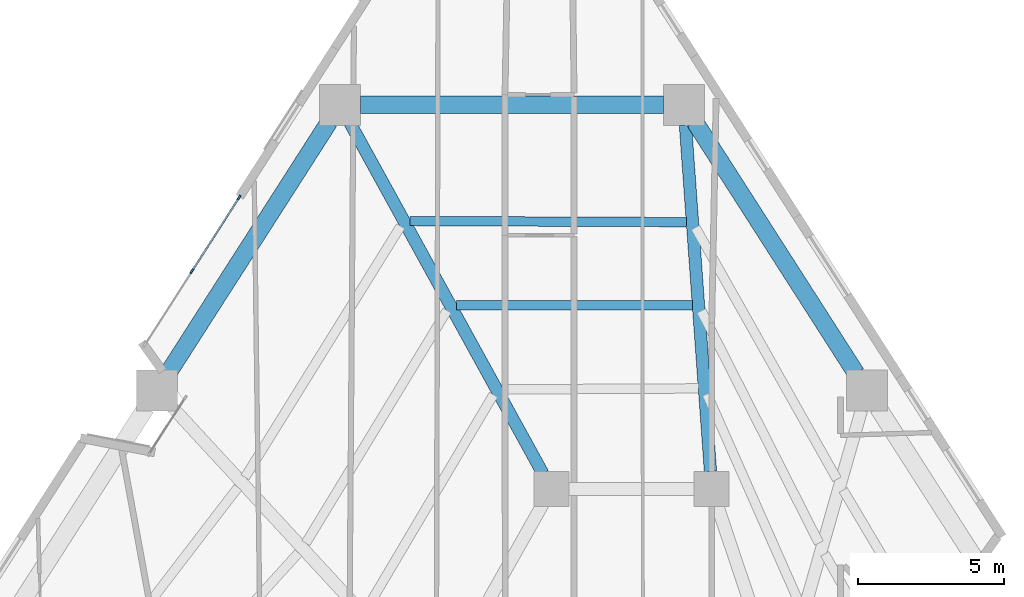
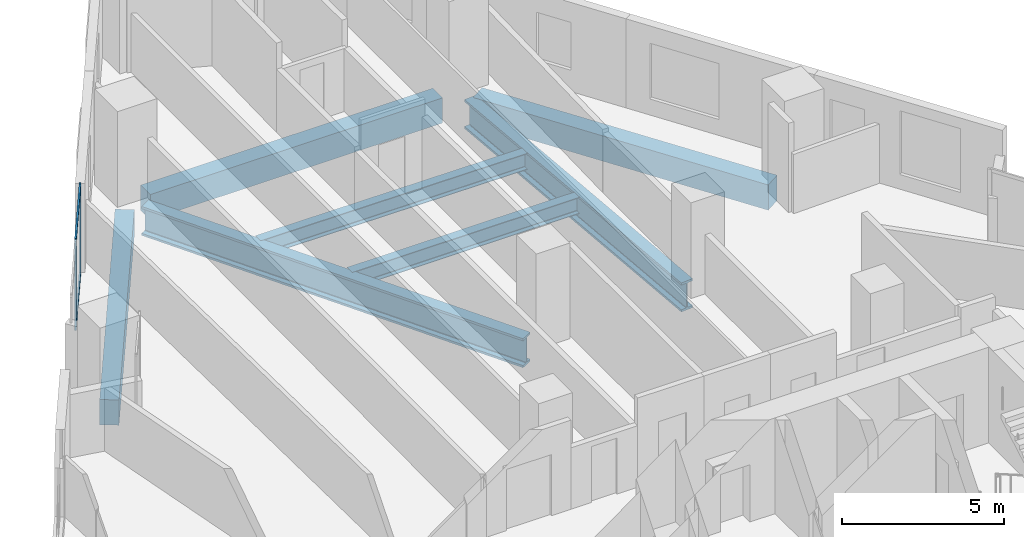
# One storey, part 6 of 14: 7 beams, 4 members, 1 element without a shape of its own.
"""IFC4 building model written with IfcOpenShell, lengths in metres."""

import ifcopenshell
import ifcopenshell.guid

model = None  # the IFC model being written
_history = None  # IfcOwnerHistory: only IFC2X3 demands one
_inside = {}  # id of a spatial element -> (the spatial element, [elements in it])
_under = {}  # id of a project, library or spatial element -> (it, [spatial elements below it])
_declared = {}  # id of a project -> (the project, [libraries it declares])
_typed = {}  # id of a type object -> (the type object, [elements of that type])
_made_of = {}  # id of a material, layer set ... -> (it, [elements and type objects made of it])


def new_model(schema):
    """Start an empty IFC model of exactly this schema.

    Asked for "IFC4X3", IfcOpenShell would pick the latest addendum, in which some entities
    have other attributes; the version numbers below select the first issue.
    IFC2X3 requires an IfcOwnerHistory on every rooted entity: one is made here for all.
    """
    global model, _history
    if schema == "IFC4X3":
        model = ifcopenshell.file(schema_version=(4, 3, 0, 0))
    else:
        model = ifcopenshell.file(schema=schema)
    _inside.clear()
    _under.clear()
    _declared.clear()
    _typed.clear()
    _made_of.clear()
    _history = None
    if model.schema == "IFC2X3":
        org = make("IfcOrganization", Name="unknown")
        user = make(
            "IfcPersonAndOrganization",
            ThePerson=make("IfcPerson", FamilyName="unknown"),
            TheOrganization=org,
        )
        app = make(
            "IfcApplication",
            ApplicationDeveloper=org,
            Version="unknown",
            ApplicationFullName="unknown",
            ApplicationIdentifier="unknown",
        )
        _history = make(
            "IfcOwnerHistory",
            OwningUser=user,
            OwningApplication=app,
            ChangeAction="ADDED",
            CreationDate=0,
        )
    return model


def make(cls, **values):
    """One entity of the class cls with the attributes given. An attribute that is None is left unset."""
    return model.create_entity(
        cls, **{name: value for name, value in values.items() if value is not None}
    )


def rooted(cls, **values):
    """An entity with a GlobalId (a new one), such as an element, a storey or a relation."""
    return make(cls, GlobalId=ifcopenshell.guid.new(), OwnerHistory=_history, **values)


def si_unit(unit_type, name, prefix=None):
    """IfcSIUnit, for example si_unit("LENGTHUNIT", "METRE", prefix="MILLI")."""
    return make("IfcSIUnit", UnitType=unit_type, Prefix=prefix, Name=name)


def assignment(units):
    """IfcUnitAssignment: the units of a project."""
    return None if units is None else make("IfcUnitAssignment", Units=units)


def point(xyz):
    """IfcCartesianPoint."""
    return None if xyz is None else make("IfcCartesianPoint", Coordinates=xyz)


def direction(xyz):
    """IfcDirection."""
    return None if xyz is None else make("IfcDirection", DirectionRatios=xyz)


def frame(location, z_axis=None, x_axis=None):
    """IfcAxis2Placement3D, a coordinate frame: its origin and axes. An axis left out is left unset."""
    return make(
        "IfcAxis2Placement3D",
        Location=point(location),
        Axis=direction(z_axis),
        RefDirection=direction(x_axis),
    )


def frame_2d(location, x_axis=None):
    """IfcAxis2Placement2D, a coordinate frame in the plane: its origin and x axis."""
    return make(
        "IfcAxis2Placement2D", Location=point(location), RefDirection=direction(x_axis)
    )


def origin():
    """The frame at (0, 0, 0) with its axes left unset."""
    return frame((0.0, 0.0, 0.0))


def origin_2d():
    """The frame at (0, 0) in the plane with its x axis left unset."""
    return frame_2d((0.0, 0.0))


def place(relative_to, where):
    """IfcLocalPlacement: puts the frame where relative to a parent placement (None: the world)."""
    return make(
        "IfcLocalPlacement", PlacementRelTo=relative_to, RelativePlacement=where
    )


def context(
    kind, dimensions, precision=None, world=None, true_north=None, identifier=None
):
    """IfcGeometricRepresentationContext, for example the 3D "Model" context."""
    return make(
        "IfcGeometricRepresentationContext",
        ContextIdentifier=identifier,
        ContextType=kind,
        CoordinateSpaceDimension=dimensions,
        Precision=precision,
        WorldCoordinateSystem=world,
        TrueNorth=true_north,
    )


def subcontext(parent, identifier, kind, view, scale=None):
    """IfcGeometricRepresentationSubContext, for example "Body" below "Model"."""
    return make(
        "IfcGeometricRepresentationSubContext",
        ContextIdentifier=identifier,
        ContextType=kind,
        ParentContext=parent,
        TargetScale=scale,
        TargetView=view,
    )


def project(units=None, contexts=None):
    """IfcProject with its units and contexts."""
    return rooted(
        "IfcProject",
        Name="project",
        RepresentationContexts=contexts,
        UnitsInContext=assignment(units),
    )


def spatial(cls, under=None, at=None, **own):
    """A site, building, storey or space (cls), placed at a placement, below another one or the project."""
    s = rooted(cls, ObjectPlacement=at, **own)
    if under is not None:
        _under.setdefault(under.id(), (under, []))[1].append(s)
    return s


def profile(cls, at=None, kind="AREA", **sizes):
    """A parametric profile (cls). Its sizes go by their IFC names, for example OverallWidth=200.0."""
    return make(cls, ProfileType=kind, Position=at, **sizes)


def rectangle(**sizes):
    """IfcRectangleProfileDef."""
    return profile("IfcRectangleProfileDef", **sizes)


def i_section(**sizes):
    """IfcIShapeProfileDef."""
    return profile("IfcIShapeProfileDef", **sizes)


def extrude(swept, where, along, depth):
    """IfcExtrudedAreaSolid: the profile swept, set in the frame where, extruded along a direction by depth."""
    return make(
        "IfcExtrudedAreaSolid",
        SweptArea=swept,
        Position=where,
        ExtrudedDirection=direction(along),
        Depth=depth,
    )


def shape(context_of_items, identifier, shape_type, items):
    """IfcShapeRepresentation: the items that make up one representation, for example the "Body"."""
    return make(
        "IfcShapeRepresentation",
        ContextOfItems=context_of_items,
        RepresentationIdentifier=identifier,
        RepresentationType=shape_type,
        Items=items,
    )


def material(Name=None, Category=None):
    """IfcMaterial."""
    return make("IfcMaterial", Name=Name, Category=Category)


def layer(
    of_material, thickness, ventilated=None, Name=None, Category=None, Priority=None
):
    """IfcMaterialLayer: one layer of a wall or slab, of a material (None: an air gap)."""
    return make(
        "IfcMaterialLayer",
        Material=of_material,
        LayerThickness=thickness,
        IsVentilated=ventilated,
        Name=Name,
        Category=Category,
        Priority=Priority,
    )


def layer_set(layers, Name=None):
    """IfcMaterialLayerSet."""
    return make("IfcMaterialLayerSet", MaterialLayers=layers, LayerSetName=Name)


def material_profile(
    of_material, cross_section, Name=None, Category=None, Priority=None
):
    """IfcMaterialProfile: a cross section and its material."""
    return make(
        "IfcMaterialProfile",
        Name=Name,
        Material=of_material,
        Profile=cross_section,
        Priority=Priority,
        Category=Category,
    )


def profile_set(profiles, Name=None, composite=None):
    """IfcMaterialProfileSet."""
    return make(
        "IfcMaterialProfileSet",
        Name=Name,
        MaterialProfiles=profiles,
        CompositeProfile=composite,
    )


def made_of(thing, what):
    """Note that an element or type object is made of a material, layer set ...; save() writes the relation."""
    if what is not None:
        _made_of.setdefault(what.id(), (what, []))[1].append(thing)
    return thing


def type_object(cls, material=None, **own):
    """A type object (cls), such as IfcWallType, which elements share."""
    return made_of(rooted(cls, **own), material)


def element(
    cls,
    number,
    at=None,
    inside=None,
    cuts=None,
    type_object=None,
    material=None,
    context=None,
    identifier="Body",
    shape_type=None,
    held_by="IfcProductDefinitionShape",
    body=None,
    shapes=None,
    **own,
):
    """One element of the class cls, such as IfcWall. Its Tag is "e" and its number.

    at: its placement. inside: the storey or other place that contains it. cuts: it is an
    opening in that element (IfcRelVoidsElement). A single representation is given by context,
    identifier, shape_type and body (its items); several are given by shapes. held_by: the class
    of the entity that holds the representations. save() writes the other relations.
    """
    e = rooted(cls, Tag="e%d" % number, ObjectPlacement=at, **own)
    if body is not None:
        shapes = [shape(context, identifier, shape_type, body)]
    if shapes is not None:
        e.Representation = make(held_by, Representations=shapes)
    if inside is not None:
        _inside.setdefault(inside.id(), (inside, []))[1].append(e)
    if cuts is not None:
        rooted(
            "IfcRelVoidsElement", RelatingBuildingElement=cuts, RelatedOpeningElement=e
        )
    if type_object is not None:
        _typed.setdefault(type_object.id(), (type_object, []))[1].append(e)
    return made_of(e, material)


def aggregate(whole, parts):
    """IfcRelAggregates: a whole, such as a stair, and the parts it consists of."""
    return rooted("IfcRelAggregates", RelatingObject=whole, RelatedObjects=parts)


def save(model, path):
    """Write the relations noted so far, then the file.

    IfcRelAggregates (storeys below a building ...), IfcRelContainedInSpatialStructure (elements
    in a storey), IfcRelDefinesByType, IfcRelAssociatesMaterial and IfcRelDeclares: one each for
    every whole, place, type object, material and project.
    """
    for whole, parts in _under.values():
        aggregate(whole, parts)
    for where, things in _inside.values():
        rooted(
            "IfcRelContainedInSpatialStructure",
            RelatedElements=things,
            RelatingStructure=where,
        )
    for kind, things in _typed.values():
        rooted("IfcRelDefinesByType", RelatedObjects=things, RelatingType=kind)
    for what, things in _made_of.values():
        rooted("IfcRelAssociatesMaterial", RelatedObjects=things, RelatingMaterial=what)
    for by, libraries in _declared.values():
        rooted("IfcRelDeclares", RelatingContext=by, RelatedDefinitions=libraries)
    model.write(path)


model = new_model("IFC4")

# Units and contexts
model_context = context("Model", 3, precision=1e-05, world=origin(), true_north=direction((0.0, 1.0)))
body_context = subcontext(model_context, "Body", "Model", "MODEL_VIEW")
ifc_project = project(units=[si_unit("LENGTHUNIT", "METRE"), si_unit("AREAUNIT", "SQUARE_METRE"), si_unit("VOLUMEUNIT", "CUBIC_METRE"), si_unit("PLANEANGLEUNIT", "RADIAN"), si_unit("MASSUNIT", "GRAM", prefix="KILO")], contexts=[model_context])

# Site, building, storey
site_placement = place(None, origin())
site = spatial("IfcSite", under=ifc_project, at=site_placement, CompositionType="ELEMENT")
building_placement = place(site_placement, origin())
building = spatial("IfcBuilding", under=site, at=building_placement, Name="Almagre Mirador Tower", CompositionType="ELEMENT")
storey_placement = place(building_placement, frame((0.0, 0.0, 35.39990234375)))
storey = spatial("IfcBuildingStorey", under=building, at=storey_placement, Name="L07", CompositionType="ELEMENT", Elevation=35.39990234375)

# Beams
ifc_material_1 = material(Name="Steel ASTM A992 Grade 50", Category="steel")
ifc_material_profile_1 = material_profile(ifc_material_1, i_section(OverallWidth=0.323974609375, OverallDepth=0.611083984375, WebThickness=0.0126953125, FlangeThickness=0.01904296875, FilletRadius=0.02001953125, at=origin_2d()), Name="W24X104")
ifc_profile_set_1 = profile_set([ifc_material_profile_1], Name="Steel ASTM A992 Grade 50")
beam_type_1 = type_object("IfcBeamType", Name="BM-JST-W24X104", PredefinedType="JOIST", material=ifc_profile_set_1)
beam_1_placement = place(storey_placement, frame((41.976806640625, 35.350341796875, -0.555419921875), z_axis=(-0.999991495419, 0.00412420774, 0.0), x_axis=(-0.00412420774, -0.999991495419, 0.0)))
element("IfcBeam", 1, at=beam_1_placement, inside=storey, type_object=beam_type_1, Name="L07 secondary floor joist PC08-PC09.1", PredefinedType="JOIST", context=body_context, shape_type="SweptSolid", body=[
    extrude(i_section(OverallWidth=0.323974609375, OverallDepth=0.611083984375, WebThickness=0.0126953125, FlangeThickness=0.01904296875, FilletRadius=0.02001953125, at=origin_2d()), origin(), (0.0, 0.0, 1.0), 9.471435546875),
])
beam_2_placement = place(storey_placement, frame((42.182861328125, 32.4990234375, -0.555419921875), z_axis=(-0.999999934402, 0.000362209454, 0.0), x_axis=(-0.000362209454, -0.999999934402, 0.0)))
element("IfcBeam", 2, at=beam_2_placement, inside=storey, type_object=beam_type_1, Name="L07 secondary floor joist PC08-PC09.2", PredefinedType="JOIST", context=body_context, shape_type="SweptSolid", body=[
    extrude(i_section(OverallWidth=0.323974609375, OverallDepth=0.611083984375, WebThickness=0.0126953125, FlangeThickness=0.01904296875, FilletRadius=0.02001953125, at=origin_2d()), origin(), (0.0, 0.0, 1.0), 8.08837890625),
])
ifc_material_2 = material(Name="Precast concrete C50/60", Category="concrete")
ifc_material_profile_2 = material_profile(ifc_material_2, rectangle(XDim=0.60009765625, YDim=0.949951171875, at=origin_2d()), Name="RC600X950")
ifc_profile_set_2 = profile_set([ifc_material_profile_2], Name="Precast concrete C50/60")
beam_type_2 = type_object("IfcBeamType", Name="BM-SPN-RC600X950", PredefinedType="SPANDREL", material=ifc_profile_set_2)
beam_3_placement = place(storey_placement, frame((47.80029296875, 30.162353515625, -0.724853515625), z_axis=(-0.539538717329, 0.841960790359, 0.0), x_axis=(-0.841960790359, -0.539538717329, 0.0)))
element("IfcBeam", 3, at=beam_3_placement, inside=storey, type_object=beam_type_2, Name="L07 perimeter spandrel beam PC07-PC08", PredefinedType="SPANDREL", context=body_context, shape_type="SweptSolid", body=[
    extrude(rectangle(XDim=0.60009765625, YDim=0.949951171875, at=origin_2d()), origin(), (0.0, 0.0, 1.0), 10.239501953125),
])
beam_4_placement = place(storey_placement, frame((41.197998046875, 39.373046875, -0.724853515625), z_axis=(-1.0, 0.0, 0.0), x_axis=(0.0, -1.0, 0.0)))
element("IfcBeam", 4, at=beam_4_placement, inside=storey, type_object=beam_type_2, Name="L07 perimeter spandrel beam PC08-PC09", PredefinedType="SPANDREL", context=body_context, shape_type="SweptSolid", body=[
    extrude(rectangle(XDim=0.60009765625, YDim=0.949951171875, at=origin_2d()), origin(), (0.0, 0.0, 1.0), 10.39599609375),
])
beam_5_placement = place(storey_placement, frame((29.724365234375, 38.78369140625, -0.724853515625), z_axis=(-0.539538717329, -0.841960790359, 0.0), x_axis=(0.841960790359, -0.539538717329, 0.0)))
element("IfcBeam", 5, at=beam_5_placement, inside=storey, type_object=beam_type_2, Name="L07 perimeter spandrel beam PC09-PC10", PredefinedType="SPANDREL", context=body_context, shape_type="SweptSolid", body=[
    extrude(rectangle(XDim=0.60009765625, YDim=0.949951171875, at=origin_2d()), origin(), (0.0, 0.0, 1.0), 10.239501953125),
])
ifc_material_3 = material(Name="Steel ASTM A913 Grade 65", Category="steel")
ifc_material_profile_3 = material_profile(ifc_material_3, i_section(OverallWidth=0.424072265625, OverallDepth=1.092041015625, WebThickness=0.04541015625, FlangeThickness=0.08203125, FilletRadius=0.030029296875, at=origin_2d()), Name="W40X593")
ifc_profile_set_3 = profile_set([ifc_material_profile_3], Name="Steel ASTM A913 Grade 65")
beam_type_3 = type_object("IfcBeamType", Name="BM-STL-W40X593", PredefinedType="BEAM", material=ifc_profile_set_3)
beam_6_placement = place(storey_placement, frame((41.948486328125, 38.6748046875, -0.7958984375), z_axis=(0.072089216544, -0.997398187715, 0.0), x_axis=(0.997398187715, 0.072089216544, 0.0)))
element("IfcBeam", 6, at=beam_6_placement, inside=storey, type_object=beam_type_3, Name="L07 radial floor girder PC08-MC6", PredefinedType="BEAM", context=body_context, shape_type="SweptSolid", body=[
    extrude(i_section(OverallWidth=0.424072265625, OverallDepth=1.092041015625, WebThickness=0.04541015625, FlangeThickness=0.08203125, FilletRadius=0.030029296875, at=origin_2d()), origin(), (0.0, 0.0, 1.0), 11.907470703125),
])
beam_7_placement = place(storey_placement, frame((30.439453125, 38.759765625, -0.7958984375), z_axis=(0.482060666066, -0.876137839745, 0.0), x_axis=(0.876137839745, 0.482060666066, 0.0)))
element("IfcBeam", 7, at=beam_7_placement, inside=storey, type_object=beam_type_3, Name="L07 radial floor girder PC09-MC7", PredefinedType="BEAM", context=body_context, shape_type="SweptSolid", body=[
    extrude(i_section(OverallWidth=0.424072265625, OverallDepth=1.092041015625, WebThickness=0.04541015625, FlangeThickness=0.08203125, FilletRadius=0.030029296875, at=origin_2d()), origin(), (0.0, 0.0, 1.0), 13.735595703125),
])

# Curtain wall, members
ifc_material_4 = material(Name="Black anodized aluminium", Category="aluminium")
ifc_layer = layer(ifc_material_4, 0.18994140625)
ifc_layer_set = layer_set([ifc_layer], Name="Black anodized aluminium")
curtain_wall_type = type_object("IfcCurtainWallType", Name="CW-RES-L-SYS", PredefinedType="NOTDEFINED", material=ifc_layer_set)
curtain_wall_placement = place(storey_placement, origin())
curtain_wall = element("IfcCurtainWall", 8, at=curtain_wall_placement, inside=storey, type_object=curtain_wall_type, Name="L07 curtain wall run 02", PredefinedType="NOTDEFINED")
ifc_material_5 = material(Name="Black anodized aluminium", Category="aluminium")
ifc_material_profile_4 = material_profile(ifc_material_5, rectangle(XDim=0.06494140625, YDim=0.179931640625, at=origin_2d()), Name="CWM65X180")
ifc_profile_set_4 = profile_set([ifc_material_profile_4], Name="Black anodized aluminium")
member_type_1 = type_object("IfcMemberType", Name="MBR-CWM65X180", PredefinedType="MULLION", material=ifc_profile_set_4)
member_1_placement = place(storey_placement, frame((25.0224609375, 33.66943359375, 0.0), z_axis=(0.0, 0.0, 1.0), x_axis=(-0.841967002982, 0.539529022287, 0.0)))
member_1 = element("IfcMember", 9, at=member_1_placement, type_object=member_type_1, Name="CW-2 mullion 2", PredefinedType="MULLION", context=body_context, shape_type="SweptSolid", body=[
    extrude(rectangle(XDim=0.06494140625, YDim=0.179931640625, at=origin_2d()), origin(), (0.0, 0.0, 1.0), 3.35009765625),
])
member_2_placement = place(storey_placement, frame((26.63916015625, 36.192626953125, 0.0), z_axis=(0.0, 0.0, 1.0), x_axis=(-0.841967002982, 0.539529022287, 0.0)))
member_2 = element("IfcMember", 10, at=member_2_placement, type_object=member_type_1, Name="CW-2 mullion 3", PredefinedType="MULLION", context=body_context, shape_type="SweptSolid", body=[
    extrude(rectangle(XDim=0.06494140625, YDim=0.179931640625, at=origin_2d()), origin(), (0.0, 0.0, 1.0), 3.35009765625),
])
ifc_material_6 = material(Name="Black anodized aluminium", Category="aluminium")
ifc_material_profile_5 = material_profile(ifc_material_6, rectangle(XDim=0.06005859375, YDim=0.1298828125, at=origin_2d()), Name="CWT60X130")
ifc_profile_set_5 = profile_set([ifc_material_profile_5], Name="Black anodized aluminium")
member_type_2 = type_object("IfcMemberType", Name="MBR-CWT60X130", PredefinedType="USERDEFINED", material=ifc_profile_set_5)
member_3_placement = place(storey_placement, frame((25.039794921875, 33.69677734375, 0.030029296875), z_axis=(0.539523852713, 0.841970315601, 0.0), x_axis=(-0.841970315601, 0.539523852713, 0.0)))
member_3 = element("IfcMember", 11, at=member_3_placement, type_object=member_type_2, Name="CW-2 transom 2.1", ObjectType="TRANSOM", PredefinedType="USERDEFINED", context=body_context, shape_type="SweptSolid", body=[
    extrude(rectangle(XDim=0.06005859375, YDim=0.1298828125, at=origin_2d()), origin(), (0.0, 0.0, 1.0), 2.931884765625),
])
member_4_placement = place(storey_placement, frame((25.039794921875, 33.69677734375, 3.320068359375), z_axis=(0.539523852713, 0.841970315601, 0.0), x_axis=(-0.841970315601, 0.539523852713, 0.0)))
member_4 = element("IfcMember", 12, at=member_4_placement, type_object=member_type_2, Name="CW-2 transom 2.2", ObjectType="TRANSOM", PredefinedType="USERDEFINED", context=body_context, shape_type="SweptSolid", body=[
    extrude(rectangle(XDim=0.06005859375, YDim=0.1298828125, at=origin_2d()), origin(), (0.0, 0.0, 1.0), 2.931884765625),
])
aggregate(curtain_wall, [member_1, member_2, member_3, member_4])

save(model, "model.ifc")
